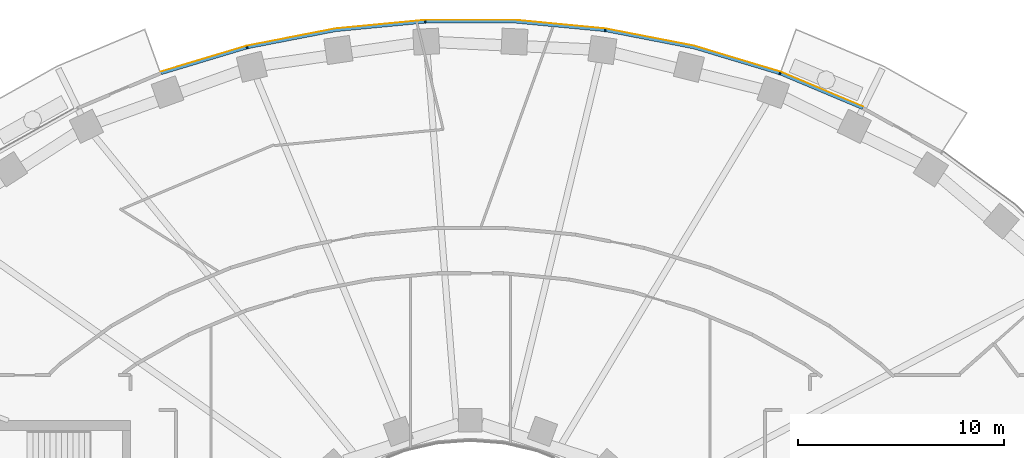
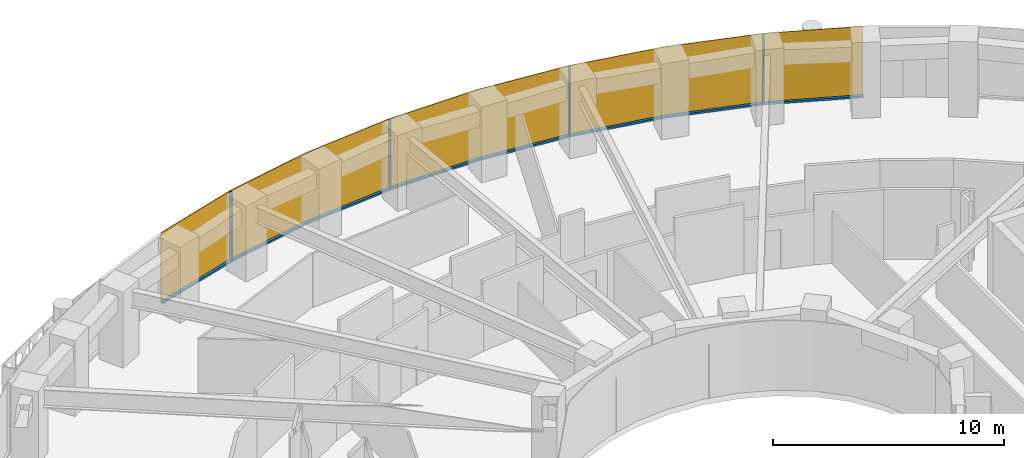
# One storey, part 13 of 16: 9 members, 1 curtain wall.
"""IFC4 building model written with IfcOpenShell, lengths in metres."""

from ifc_helpers import new_model, si_unit, direction, frame, origin, origin_2d, place, context, subcontext, project, spatial, polyline, rectangle, outline, extrude, material, layer, layer_set, material_profile, profile_set, type_object, element, aggregate, save


model = new_model("IFC4")

# Units and contexts
model_context = context("Model", 3, precision=1e-05, world=origin(), true_north=direction((0.0, 1.0)))
body_context = subcontext(model_context, "Body", "Model", "MODEL_VIEW")
ifc_project = project(units=[si_unit("LENGTHUNIT", "METRE"), si_unit("AREAUNIT", "SQUARE_METRE"), si_unit("VOLUMEUNIT", "CUBIC_METRE"), si_unit("PLANEANGLEUNIT", "RADIAN"), si_unit("MASSUNIT", "GRAM", prefix="KILO")], contexts=[model_context])

# Member
ifc_material_1 = material(Name="Aluminium 6063-T6 black anodised", Category="aluminium")
ifc_material_profile = material_profile(ifc_material_1, rectangle(XDim=0.1201171875, YDim=0.06005859375, at=origin_2d()), Name="120x60")
ifc_profile_set = profile_set([ifc_material_profile], Name="Aluminium 6063-T6 black anodised")
member_type_1 = type_object("IfcMemberType", Name="ENV-MULLION-A-120", PredefinedType="MULLION", material=ifc_profile_set)
site_placement = place(None, origin())
building_placement = place(site_placement, origin())
storey_placement = place(building_placement, frame((0.0, 0.0, 116.0)))
member_1_placement = place(storey_placement, frame((15.0341796875, 25.34375, 0.0), z_axis=(0.0, 0.0, 1.0), x_axis=(-0.338379256581, -0.941009818608, 0.0)))
member_1 = element("IfcMember", 1, at=member_1_placement, type_object=member_type_1, Name="Mullion A radial 09", PredefinedType="MULLION", context=body_context, shape_type="SweptSolid", body=[
    extrude(rectangle(XDim=0.1201171875, YDim=0.06005859375, at=origin_2d()), origin(), (0.0, 0.0, 1.0), 3.699951171875),
])

member_2_placement = place(storey_placement, frame((6.54638671875, 27.440185546875, 0.0), z_axis=(0.0, 0.0, 1.0), x_axis=(-0.143082012705, -0.989710835366, 0.0)))
member_2 = element("IfcMember", 2, at=member_2_placement, type_object=member_type_1, Name="Mullion A radial 11", PredefinedType="MULLION", context=body_context, shape_type="SweptSolid", body=[
    extrude(rectangle(XDim=0.1201171875, YDim=0.06005859375, at=origin_2d()), origin(), (0.0, 0.0, 1.0), 3.699951171875),
])

member_3_placement = place(storey_placement, frame((-2.188720703125, 27.856201171875, 0.0), z_axis=(0.0, 0.0, 1.0), x_axis=(0.047557873581, -0.998868484166, 0.0)))
member_3 = element("IfcMember", 3, at=member_3_placement, type_object=member_type_1, Name="Mullion A radial 13", PredefinedType="MULLION", context=body_context, shape_type="SweptSolid", body=[
    extrude(rectangle(XDim=0.1201171875, YDim=0.06005859375, at=origin_2d()), origin(), (0.0, 0.0, 1.0), 3.699951171875),
])

member_4_placement = place(storey_placement, frame((-10.84326171875, 26.60498046875, 0.0), z_axis=(0.0, 0.0, 1.0), x_axis=(0.239799081534, -0.970822538106, 0.0)))
member_4 = element("IfcMember", 4, at=member_4_placement, type_object=member_type_1, Name="Mullion A radial 15", PredefinedType="MULLION", context=body_context, shape_type="SweptSolid", body=[
    extrude(rectangle(XDim=0.1201171875, YDim=0.06005859375, at=origin_2d()), origin(), (0.0, 0.0, 1.0), 3.699951171875),
])

ifc_material_2 = material(Name="Aluminium 6063-T6 black anodised", Category="aluminium")
member_type_2 = type_object("IfcMemberType", Name="ENV-TRANSOM-A", PredefinedType="USERDEFINED", material=ifc_material_2)
member_5_placement = place(storey_placement, origin())
member_5 = element("IfcMember", 5, at=member_5_placement, type_object=member_type_2, Name="Transom A radial 08-09", ObjectType="TRANSOM", PredefinedType="USERDEFINED", context=body_context, shape_type="SweptSolid", body=[
    extrude(outline(polyline([(19.07568359375, 23.709228515625), (15.080322265625, 25.389404296875), (15.03955078125, 25.276123046875), (19.02294921875, 23.601318359375), (19.07568359375, 23.709228515625)])), origin(), (0.0, 0.0, 1.0), 0.10009765625),
])

member_6_placement = place(storey_placement, origin())
member_6 = element("IfcMember", 6, at=member_6_placement, type_object=member_type_2, Name="Transom A radial 09-11", ObjectType="TRANSOM", PredefinedType="USERDEFINED", context=body_context, shape_type="SweptSolid", body=[
    extrude(outline(polyline([(15.027587890625, 25.408203125), (10.857666015625, 26.6630859375), (6.58251953125, 27.494140625), (6.5654296875, 27.375244140625), (10.828857421875, 26.54638671875), (14.987060546875, 25.295166015625), (15.027587890625, 25.408203125)])), origin(), (0.0, 0.0, 1.0), 0.10009765625),
])

member_7_placement = place(storey_placement, origin())
member_7 = element("IfcMember", 7, at=member_7_placement, type_object=member_type_2, Name="Transom A radial 11-13", ObjectType="TRANSOM", PredefinedType="USERDEFINED", context=body_context, shape_type="SweptSolid", body=[
    extrude(outline(polyline([(6.527099609375, 27.502197265625), (2.191650390625, 27.916015625), (-2.163818359375, 27.916015625), (-2.157958984375, 27.7958984375), (2.185791015625, 27.7958984375), (6.510009765625, 27.38330078125), (6.527099609375, 27.502197265625)])), origin(), (0.0, 0.0, 1.0), 0.10009765625),
])

member_8_placement = place(storey_placement, origin())
member_8 = element("IfcMember", 8, at=member_8_placement, type_object=member_type_2, Name="Transom A radial 13-15", ObjectType="TRANSOM", PredefinedType="USERDEFINED", context=body_context, shape_type="SweptSolid", body=[
    extrude(outline(polyline([(-2.219482421875, 27.913330078125), (-6.55517578125, 27.49951171875), (-10.830078125, 26.66845703125), (-10.80126953125, 26.552001953125), (-6.537841796875, 27.380615234375), (-2.2138671875, 27.793212890625), (-2.219482421875, 27.913330078125)])), origin(), (0.0, 0.0, 1.0), 0.10009765625),
])

member_9_placement = place(storey_placement, origin())
member_9 = element("IfcMember", 9, at=member_9_placement, type_object=member_type_2, Name="Transom A radial 15-16", ObjectType="TRANSOM", PredefinedType="USERDEFINED", context=body_context, shape_type="SweptSolid", body=[
    extrude(outline(polyline([(-10.884521484375, 26.655029296875), (-15.035400390625, 25.406005859375), (-14.99462890625, 25.292724609375), (-10.855712890625, 26.53857421875), (-10.884521484375, 26.655029296875)])), origin(), (0.0, 0.0, 1.0), 0.10009765625),
])

# Site, building, storey
site = spatial("IfcSite", under=ifc_project, at=site_placement, CompositionType="ELEMENT")
building = spatial("IfcBuilding", under=site, at=building_placement, Name="Noorbagh Ring Tower", CompositionType="ELEMENT")
storey = spatial("IfcBuildingStorey", under=building, at=storey_placement, Name="L26", CompositionType="ELEMENT", Elevation=116.0)

# Curtain wall
ifc_material_3 = material(Name="Glass dark tinted laminated", Category="glass")
ifc_layer = layer(ifc_material_3, 0.031982421875)
ifc_layer_set = layer_set([ifc_layer], Name="Glass dark tinted laminated")
curtain_wall_type = type_object("IfcCurtainWallType", Name="ENV-CW-A", PredefinedType="NOTDEFINED", material=ifc_layer_set)
curtain_wall_placement = place(storey_placement, origin())
curtain_wall = element("IfcCurtainWall", 10, at=curtain_wall_placement, inside=storey, type_object=curtain_wall_type, Name="Curtain wall A R08", PredefinedType="NOTDEFINED", context=body_context, shape_type="SweptSolid", body=[
    extrude(outline(polyline([(19.08984375, 23.738037109375), (15.065185546875, 25.430419921875), (10.865234375, 26.6943359375), (6.559814453125, 27.53125), (2.193115234375, 27.947998046875), (-2.193115234375, 27.947998046875), (-6.559814453125, 27.53125), (-10.865234375, 26.6943359375), (-15.046142578125, 25.43603515625), (-15.035400390625, 25.406005859375), (-10.857666015625, 26.6630859375), (-6.55517578125, 27.49951171875), (-2.191650390625, 27.916015625), (2.191650390625, 27.916015625), (6.55517578125, 27.49951171875), (10.857666015625, 26.6630859375), (15.054443359375, 25.400146484375), (19.07568359375, 23.709228515625), (19.08984375, 23.738037109375)])), origin(), (0.0, 0.0, 1.0), 3.699951171875),
])

aggregate(curtain_wall, [member_1, member_2, member_3, member_4, member_5, member_6, member_7, member_8, member_9])

save(model, "model.ifc")
